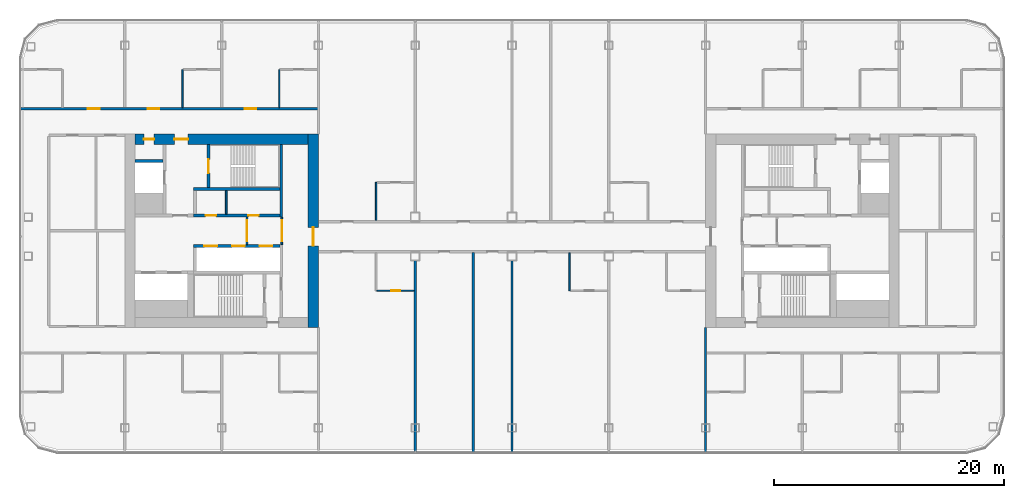
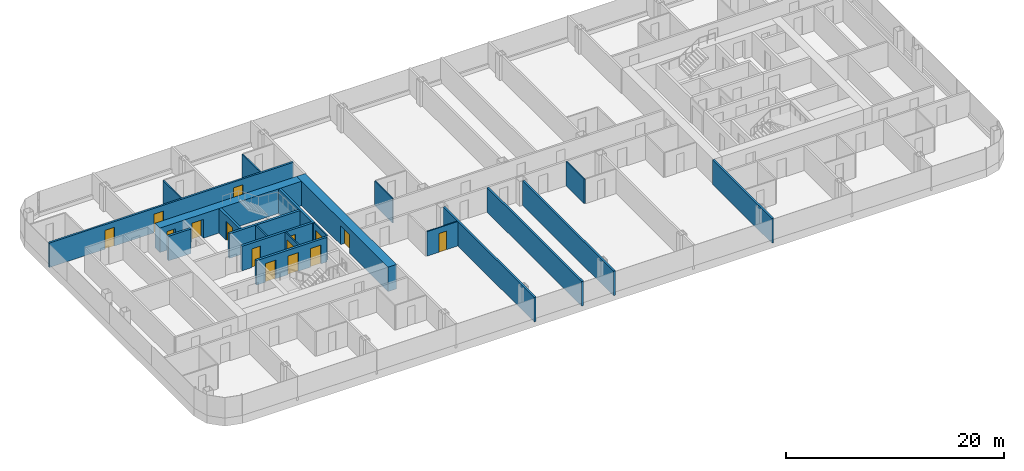
# One storey, part 13 of 26: 21 walls, 15 doors, 15 openings.
"""IFC4 building model written with IfcOpenShell, lengths in metres."""

from ifc_helpers import new_model, si_unit, direction, frame, frame_2d, origin, place, context, subcontext, project, spatial, rectangle, extrude, material, layer, layer_set, type_object, element, fill, save


model = new_model("IFC4")

# Units and contexts
model_context = context("Model", 3, precision=1e-05, world=origin(), true_north=direction((0.0, 1.0)))
body_context = subcontext(model_context, "Body", "Model", "MODEL_VIEW")
ifc_project = project(units=[si_unit("LENGTHUNIT", "METRE"), si_unit("AREAUNIT", "SQUARE_METRE"), si_unit("VOLUMEUNIT", "CUBIC_METRE"), si_unit("PLANEANGLEUNIT", "RADIAN"), si_unit("MASSUNIT", "GRAM", prefix="KILO")], contexts=[model_context])

# Site, building, storey
site_placement = place(None, origin())
site = spatial("IfcSite", under=ifc_project, at=site_placement, CompositionType="ELEMENT")
building_placement = place(site_placement, origin())
building = spatial("IfcBuilding", under=site, at=building_placement, Name="Hakoniwa Tower and Hamabe Station Hall", CompositionType="ELEMENT")
storey_placement = place(building_placement, frame((0.0, 0.0, 131.0)))
storey = spatial("IfcBuildingStorey", under=building, at=storey_placement, Name="L36", CompositionType="ELEMENT", Elevation=131.0)

# Wall, opening, door
ifc_material_1 = material(Name="Gypsum board partition", Category="gypsum")
ifc_layer_1 = layer(ifc_material_1, 0.125)
ifc_layer_set_1 = layer_set([ifc_layer_1], Name="Bathroom Partition 125")
wall_type_1 = type_object("IfcWallType", Name="Bathroom Partition 125", PredefinedType="PARTITIONING", material=ifc_layer_set_1)
wall_1_placement = place(storey_placement, frame((-11.737548828125, -5.199951171875, 0.0), z_axis=(0.0, 0.0, 1.0), x_axis=(1.0, 0.0, 0.0)))
wall_1 = element("IfcWall", 1, at=wall_1_placement, inside=storey, type_object=wall_type_1, Name="GW-L36-011", PredefinedType="PARTITIONING", context=body_context, shape_type="SweptSolid", body=[
    extrude(rectangle(XDim=3.237548828125, YDim=0.125, at=frame_2d((1.61865234375, 0.0))), origin(), (0.0, 0.0, 1.0), 2.75),
])
opening_1_placement = place(wall_1_placement, frame((1.237548828125, 0.0, 0.0)))
opening_1 = element("IfcOpeningElement", 2, at=opening_1_placement, cuts=wall_1, Name="Opening GD-G3A0-17", PredefinedType="OPENING", context=body_context, shape_type="SweptSolid", body=[
    extrude(rectangle(XDim=0.800048828125, YDim=2.10009765625, at=frame_2d((0.39990234375, 1.050048828125))), frame((0.0, 0.072509765625, 0.0), z_axis=(0.0, -1.0, 0.0), x_axis=(1.0, 0.0, 0.0)), (0.0, 0.0, 1.0), 0.14501953125),
])
ifc_material_2 = material(Name="Timber door leaf", Category="wood")
door_type_1 = type_object("IfcDoorType", Name="Bathroom Door 800", OperationType="SINGLE_SWING_LEFT", PredefinedType="DOOR", material=ifc_material_2)
door_1_placement = place(opening_1_placement, origin())
door_1 = element("IfcDoor", 3, at=door_1_placement, inside=storey, type_object=door_type_1, Name="Door GD-G3A0-17", OperationType="SINGLE_SWING_RIGHT", OverallHeight=2.10009765625, OverallWidth=0.800048828125, PredefinedType="DOOR", context=body_context, shape_type="SweptSolid", body=[
    extrude(rectangle(XDim=0.800048828125, YDim=2.10009765625, at=frame_2d((0.39990234375, 1.050048828125))), frame((0.0, 0.02490234375, 0.0), z_axis=(0.0, -1.0, 0.0), x_axis=(1.0, 0.0, 0.0)), (0.0, 0.0, 1.0), 0.050048828125),
])
fill(opening_1, door_1)

# Walls
for number, where, z_axis, x_axis, name in (
    (4, (-28.60009765625, 10.699951171875, 0.0), (0.0, 0.0, 1.0), (0.0, 1.0, 0.0), "GW-L36-038"),
    (5, (-20.199951171875, 10.699951171875, 0.0), (0.0, 0.0, 1.0), (0.0, 1.0, 0.0), "GW-L36-042"),
    (6, (-11.800048828125, 0.89990234375, 0.0), (0.0, 0.0, 1.0), (0.0, 1.0, 0.0), "GW-L36-046"),
    (7, (5.0, -5.199951171875, 0.0), (0.0, 0.0, 1.0), (0.0, 1.0, 0.0), "GW-L36-053"),
):
    element("IfcWall", number, at=place(storey_placement, frame(where, z_axis=z_axis, x_axis=x_axis)), inside=storey, type_object=wall_type_1, Name=name, PredefinedType="PARTITIONING", context=body_context, shape_type="SweptSolid", body=[
        extrude(rectangle(XDim=3.300048828125, YDim=0.125, at=frame_2d((1.64990234375, 0.0))), origin(), (0.0, 0.0, 1.0), 2.75),
    ])

# Wall, opening, door
ifc_material_3 = material(Name="Gypsum board partition")
ifc_layer_2 = layer(ifc_material_3, 0.14990234375)
ifc_layer_set_2 = layer_set([ifc_layer_2], Name="CORE PARTITION 150 EI 60")
wall_type_2 = type_object("IfcWallType", Name="CORE PARTITION 150 EI 60", PredefinedType="PARTITIONING", material=ifc_layer_set_2)
wall_2_placement = place(storey_placement, frame((-19.97509765625, -1.199951171875, 0.0), z_axis=(0.0, 0.0, 1.0), x_axis=(0.0, 1.0, 0.0)))
wall_2 = element("IfcWall", 8, at=wall_2_placement, inside=storey, type_object=wall_type_2, Name="Core partition PL0 west", PredefinedType="PARTITIONING", context=body_context, shape_type="SweptSolid", body=[
    extrude(rectangle(XDim=2.39990234375, YDim=0.14990234375, at=frame_2d((1.199951171875, 0.0))), origin(), (0.0, 0.0, 1.0), 2.75),
])
opening_2_placement = place(wall_2_placement, frame((0.300048828125, 0.0, 0.0)))
opening_2 = element("IfcOpeningElement", 9, at=opening_2_placement, cuts=wall_2, Name="Opening CD-W-LP0-18", PredefinedType="OPENING", context=body_context, shape_type="SweptSolid", body=[
    extrude(rectangle(XDim=1.800048828125, YDim=2.10009765625, at=frame_2d((0.89990234375, 1.050048828125))), frame((0.0, 0.0849609375, 0.0), z_axis=(0.0, -1.0, 0.0), x_axis=(1.0, 0.0, 0.0)), (0.0, 0.0, 1.0), 0.169921875),
])
ifc_material_4 = material(Name="Steel fire door", Category="steel")
door_type_2 = type_object("IfcDoorType", Name="CORE DOOR 1800 FD60", OperationType="DOUBLE_DOOR_SINGLE_SWING", PredefinedType="DOOR", material=ifc_material_4)
door_2_placement = place(opening_2_placement, origin())
door_2 = element("IfcDoor", 10, at=door_2_placement, inside=storey, type_object=door_type_2, Name="Lift lobby partition door", OperationType="DOUBLE_DOOR_SINGLE_SWING", OverallHeight=2.10009765625, OverallWidth=1.800048828125, PredefinedType="DOOR", context=body_context, shape_type="SweptSolid", body=[
    extrude(rectangle(XDim=1.800048828125, YDim=2.10009765625, at=frame_2d((0.89990234375, 1.050048828125))), frame((0.0, 0.02490234375, 0.0), z_axis=(0.0, -1.0, 0.0), x_axis=(1.0, 0.0, 0.0)), (0.0, 0.0, 1.0), 0.050048828125),
])
fill(opening_2, door_2)

wall_3_placement = place(storey_placement, frame((-23.0, -1.199951171875, 0.0), z_axis=(0.0, 0.0, 1.0), x_axis=(0.0, 1.0, 0.0)))
wall_3 = element("IfcWall", 11, at=wall_3_placement, inside=storey, type_object=wall_type_2, Name="Core partition PL1 west", PredefinedType="PARTITIONING", context=body_context, shape_type="SweptSolid", body=[
    extrude(rectangle(XDim=2.39990234375, YDim=0.14990234375, at=frame_2d((1.199951171875, 0.0))), origin(), (0.0, 0.0, 1.0), 2.75),
])
opening_3_placement = place(wall_3_placement, frame((0.300048828125, 0.0, 0.0)))
opening_3 = element("IfcOpeningElement", 12, at=opening_3_placement, cuts=wall_3, Name="Opening CD-W-LP1-18", PredefinedType="OPENING", context=body_context, shape_type="SweptSolid", body=[
    extrude(rectangle(XDim=1.800048828125, YDim=2.10009765625, at=frame_2d((0.89990234375, 1.050048828125))), frame((0.0, 0.0849609375, 0.0), z_axis=(0.0, -1.0, 0.0), x_axis=(1.0, 0.0, 0.0)), (0.0, 0.0, 1.0), 0.169921875),
])
door_3_placement = place(opening_3_placement, origin())
door_3 = element("IfcDoor", 13, at=door_3_placement, inside=storey, type_object=door_type_2, Name="Lift lobby partition door", OperationType="DOUBLE_DOOR_SINGLE_SWING", OverallHeight=2.10009765625, OverallWidth=1.800048828125, PredefinedType="DOOR", context=body_context, shape_type="SweptSolid", body=[
    extrude(rectangle(XDim=1.800048828125, YDim=2.10009765625, at=frame_2d((0.89990234375, 1.050048828125))), frame((0.0, 0.02490234375, 0.0), z_axis=(0.0, -1.0, 0.0), x_axis=(1.0, 0.0, 0.0)), (0.0, 0.0, 1.0), 0.050048828125),
])
fill(opening_3, door_3)

# Wall
wall_4_placement = place(storey_placement, frame((-24.800048828125, 1.449951171875, 0.0), z_axis=(0.0, 0.0, 1.0), x_axis=(0.0, 1.0, 0.0)))
element("IfcWall", 14, at=wall_4_placement, inside=storey, type_object=wall_type_2, Name="Core partition PFLR0 west", PredefinedType="PARTITIONING", context=body_context, shape_type="SweptSolid", body=[
    extrude(rectangle(XDim=2.050048828125, YDim=0.14990234375, at=frame_2d((1.02490234375, 0.0))), origin(), (0.0, 0.0, 1.0), 2.75),
])

# Wall, opening, door
ifc_material_5 = material(Name="Concrete C66", Category="concrete")
ifc_layer_3 = layer(ifc_material_5, 0.89990234375)
ifc_layer_set_3 = layer_set([ifc_layer_3], Name="CORE WALL 900 C66")
wall_type_3 = type_object("IfcWallType", Name="CORE WALL 900 C66", PredefinedType="SHEAR", material=ifc_layer_set_3)
wall_5_placement = place(storey_placement, frame((-17.25, -8.39990234375, 0.0), z_axis=(0.0, 0.0, 1.0), x_axis=(0.0, 1.0, 0.0)))
wall_5 = element("IfcWall", 15, at=wall_5_placement, inside=storey, type_object=wall_type_3, Name="Core wall INNER west", PredefinedType="SHEAR", context=body_context, shape_type="SweptSolid", body=[
    extrude(rectangle(XDim=16.7998046875, YDim=0.89990234375, at=frame_2d((8.39990234375, 0.0))), origin(), (0.0, 0.0, 1.0), 2.75),
])
opening_4_placement = place(wall_5_placement, frame((7.10009765625, 0.0, 0.0)))
opening_4 = element("IfcOpeningElement", 16, at=opening_4_placement, cuts=wall_5, Name="Opening CD-W-IN1-16", PredefinedType="OPENING", context=body_context, shape_type="SweptSolid", body=[
    extrude(rectangle(XDim=1.60009765625, YDim=2.10009765625, at=frame_2d((0.800048828125, 1.050048828125))), frame((0.0, 0.4599609375, 0.0), z_axis=(0.0, -1.0, 0.0), x_axis=(1.0, 0.0, 0.0)), (0.0, 0.0, 1.0), 0.919921875),
])
ifc_material_6 = material(Name="Steel fire door", Category="steel")
door_type_3 = type_object("IfcDoorType", Name="CORE DOOR 1600 FD60", OperationType="DOUBLE_DOOR_SINGLE_SWING", PredefinedType="DOOR", material=ifc_material_6)
door_4_placement = place(opening_4_placement, origin())
door_4 = element("IfcDoor", 17, at=door_4_placement, inside=storey, type_object=door_type_3, Name="Lift lobby door", OperationType="DOUBLE_DOOR_SINGLE_SWING", OverallHeight=2.10009765625, OverallWidth=1.60009765625, PredefinedType="DOOR", context=body_context, shape_type="SweptSolid", body=[
    extrude(rectangle(XDim=1.60009765625, YDim=2.10009765625, at=frame_2d((0.800048828125, 1.050048828125))), frame((0.0, 0.02490234375, 0.0), z_axis=(0.0, -1.0, 0.0), x_axis=(1.0, 0.0, 0.0)), (0.0, 0.0, 1.0), 0.050048828125),
])
fill(opening_4, door_4)

# Wall, openings, doors
wall_6_placement = place(storey_placement, frame((-32.699951171875, 7.949951171875, 0.0), z_axis=(0.0, 0.0, 1.0), x_axis=(1.0, 0.0, 0.0)))
wall_6 = element("IfcWall", 18, at=wall_6_placement, inside=storey, type_object=wall_type_3, Name="Core wall NORTH west", PredefinedType="SHEAR", context=body_context, shape_type="SweptSolid", body=[
    extrude(rectangle(XDim=15.0, YDim=0.89990234375, at=frame_2d((7.5, 0.0))), origin(), (0.0, 0.0, 1.0), 2.75),
])
opening_5_placement = place(wall_6_placement, frame((3.39990234375, 0.0, 0.0)))
opening_5 = element("IfcOpeningElement", 19, at=opening_5_placement, cuts=wall_6, Name="Opening CD-W-FN1-12", PredefinedType="OPENING", context=body_context, shape_type="SweptSolid", body=[
    extrude(rectangle(XDim=1.199951171875, YDim=2.10009765625, at=frame_2d((0.60009765625, 1.050048828125))), frame((0.0, 0.4599609375, 0.0), z_axis=(0.0, -1.0, 0.0), x_axis=(1.0, 0.0, 0.0)), (0.0, 0.0, 1.0), 0.919921875),
])
opening_6_placement = place(wall_6_placement, frame((0.75, 0.0, 0.0)))
opening_6 = element("IfcOpeningElement", 20, at=opening_6_placement, cuts=wall_6, Name="Opening CD-W-FN2-9", PredefinedType="OPENING", context=body_context, shape_type="SweptSolid", body=[
    extrude(rectangle(XDim=0.89990234375, YDim=2.10009765625, at=frame_2d((0.449951171875, 1.050048828125))), frame((0.0, 0.4599609375, 0.0), z_axis=(0.0, -1.0, 0.0), x_axis=(1.0, 0.0, 0.0)), (0.0, 0.0, 1.0), 0.919921875),
])
ifc_material_7 = material(Name="Steel fire door", Category="steel")
door_type_4 = type_object("IfcDoorType", Name="CORE DOOR 1200 FD60", OperationType="DOUBLE_DOOR_SINGLE_SWING", PredefinedType="DOOR", material=ifc_material_7)
door_5_placement = place(opening_5_placement, origin())
door_5 = element("IfcDoor", 21, at=door_5_placement, inside=storey, type_object=door_type_4, Name="Stair vestibule door to the fire-fighting lobby", OperationType="DOUBLE_DOOR_SINGLE_SWING", OverallHeight=2.10009765625, OverallWidth=1.199951171875, PredefinedType="DOOR", context=body_context, shape_type="SweptSolid", body=[
    extrude(rectangle(XDim=1.199951171875, YDim=2.10009765625, at=frame_2d((0.60009765625, 1.050048828125))), frame((0.0, 0.02490234375, 0.0), z_axis=(0.0, -1.0, 0.0), x_axis=(1.0, 0.0, 0.0)), (0.0, 0.0, 1.0), 0.050048828125),
])
fill(opening_5, door_5)
ifc_material_8 = material(Name="Steel fire door", Category="steel")
door_type_5 = type_object("IfcDoorType", Name="CORE DOOR 900 FD30", OperationType="NOTDEFINED", PredefinedType="DOOR", material=ifc_material_8)
door_6_placement = place(opening_6_placement, origin())
door_6 = element("IfcDoor", 22, at=door_6_placement, inside=storey, type_object=door_type_5, Name="Riser access door", OperationType="SINGLE_SWING_LEFT", OverallHeight=2.10009765625, OverallWidth=0.89990234375, PredefinedType="DOOR", context=body_context, shape_type="SweptSolid", body=[
    extrude(rectangle(XDim=0.89990234375, YDim=2.10009765625, at=frame_2d((0.449951171875, 1.050048828125))), frame((0.0, 0.02490234375, 0.0), z_axis=(0.0, -1.0, 0.0), x_axis=(1.0, 0.0, 0.0)), (0.0, 0.0, 1.0), 0.050048828125),
])
fill(opening_6, door_6)

# Wall
ifc_material_9 = material(Name="Concrete C66", Category="concrete")
ifc_layer_4 = layer(ifc_material_9, 0.25)
ifc_layer_set_4 = layer_set([ifc_layer_4], Name="CORE WEB WALL 250 C66")
wall_type_4 = type_object("IfcWallType", Name="CORE WEB WALL 250 C66", PredefinedType="SHEAR", material=ifc_layer_set_4)
wall_7_placement = place(storey_placement, frame((-20.02490234375, 1.199951171875, 0.0), z_axis=(0.0, 0.0, 1.0), x_axis=(0.0, 1.0, 0.0)))
element("IfcWall", 23, at=wall_7_placement, inside=storey, type_object=wall_type_4, Name="Core wall W1N west", PredefinedType="SHEAR", context=body_context, shape_type="SweptSolid", body=[
    extrude(rectangle(XDim=6.300048828125, YDim=0.25, at=frame_2d((3.14990234375, 0.0))), origin(), (0.0, 0.0, 1.0), 2.75),
])

# Wall, openings, doors
wall_8_placement = place(storey_placement, frame((-27.64990234375, 1.324951171875, 0.0), z_axis=(0.0, 0.0, 1.0), x_axis=(1.0, 0.0, 0.0)))
wall_8 = element("IfcWall", 24, at=wall_8_placement, inside=storey, type_object=wall_type_4, Name="Core wall NF west", PredefinedType="SHEAR", context=body_context, shape_type="SweptSolid", body=[
    extrude(rectangle(XDim=7.5, YDim=0.25, at=frame_2d((3.75, 0.0))), origin(), (0.0, 0.0, 1.0), 2.75),
])
opening_7_placement = place(wall_8_placement, frame((4.762451171875, 0.0, 0.0)))
opening_7 = element("IfcOpeningElement", 25, at=opening_7_placement, cuts=wall_8, Name="Opening CD-W-FRLR0-9", PredefinedType="OPENING", context=body_context, shape_type="SweptSolid", body=[
    extrude(rectangle(XDim=0.89990234375, YDim=2.10009765625, at=frame_2d((0.449951171875, 1.050048828125))), frame((0.0, 0.135009765625, 0.0), z_axis=(0.0, -1.0, 0.0), x_axis=(1.0, 0.0, 0.0)), (0.0, 0.0, 1.0), 0.27001953125),
])
opening_8_placement = place(wall_8_placement, frame((1.0625, 0.0, 0.0)))
opening_8 = element("IfcOpeningElement", 26, at=opening_8_placement, cuts=wall_8, Name="Opening CD-W-FRLR1-9", PredefinedType="OPENING", context=body_context, shape_type="SweptSolid", body=[
    extrude(rectangle(XDim=0.89990234375, YDim=2.10009765625, at=frame_2d((0.449951171875, 1.050048828125))), frame((0.0, 0.135009765625, 0.0), z_axis=(0.0, -1.0, 0.0), x_axis=(1.0, 0.0, 0.0)), (0.0, 0.0, 1.0), 0.27001953125),
])
door_7_placement = place(opening_7_placement, origin())
door_7 = element("IfcDoor", 27, at=door_7_placement, inside=storey, type_object=door_type_5, Name="Store room door", OperationType="SINGLE_SWING_LEFT", OverallHeight=2.10009765625, OverallWidth=0.89990234375, PredefinedType="DOOR", context=body_context, shape_type="SweptSolid", body=[
    extrude(rectangle(XDim=0.89990234375, YDim=2.10009765625, at=frame_2d((0.449951171875, 1.050048828125))), frame((0.0, 0.02490234375, 0.0), z_axis=(0.0, -1.0, 0.0), x_axis=(1.0, 0.0, 0.0)), (0.0, 0.0, 1.0), 0.050048828125),
])
fill(opening_7, door_7)
door_8_placement = place(opening_8_placement, origin())
door_8 = element("IfcDoor", 28, at=door_8_placement, inside=storey, type_object=door_type_5, Name="Store room door", OperationType="SINGLE_SWING_RIGHT", OverallHeight=2.10009765625, OverallWidth=0.89990234375, PredefinedType="DOOR", context=body_context, shape_type="SweptSolid", body=[
    extrude(rectangle(XDim=0.89990234375, YDim=2.10009765625, at=frame_2d((0.449951171875, 1.050048828125))), frame((0.0, 0.02490234375, 0.0), z_axis=(0.0, -1.0, 0.0), x_axis=(1.0, 0.0, 0.0)), (0.0, 0.0, 1.0), 0.050048828125),
])
fill(opening_8, door_8)

# Wall
wall_9_placement = place(storey_placement, frame((-27.64990234375, 3.625, 0.0), z_axis=(0.0, 0.0, 1.0), x_axis=(1.0, 0.0, 0.0)))
element("IfcWall", 29, at=wall_9_placement, inside=storey, type_object=wall_type_4, Name="Core wall NR west", PredefinedType="SHEAR", context=body_context, shape_type="SweptSolid", body=[
    extrude(rectangle(XDim=7.5, YDim=0.25, at=frame_2d((3.75, 0.0))), origin(), (0.0, 0.0, 1.0), 2.75),
])

# Wall, opening, door
wall_10_placement = place(storey_placement, frame((-26.324951171875, 3.75, 0.0), z_axis=(0.0, 0.0, 1.0), x_axis=(0.0, 1.0, 0.0)))
wall_10 = element("IfcWall", 30, at=wall_10_placement, inside=storey, type_object=wall_type_4, Name="Core wall NSE west", PredefinedType="SHEAR", context=body_context, shape_type="SweptSolid", body=[
    extrude(rectangle(XDim=3.75, YDim=0.25, at=frame_2d((1.875, 0.0))), origin(), (0.0, 0.0, 1.0), 2.75),
])
opening_9_placement = place(wall_10_placement, frame((1.25, 0.0, 0.0)))
opening_9 = element("IfcOpeningElement", 31, at=opening_9_placement, cuts=wall_10, Name="Opening CD-W-SN-12", PredefinedType="OPENING", context=body_context, shape_type="SweptSolid", body=[
    extrude(rectangle(XDim=1.199951171875, YDim=2.10009765625, at=frame_2d((0.60009765625, 1.050048828125))), frame((0.0, 0.135009765625, 0.0), z_axis=(0.0, -1.0, 0.0), x_axis=(1.0, 0.0, 0.0)), (0.0, 0.0, 1.0), 0.27001953125),
])
door_9_placement = place(opening_9_placement, origin())
door_9 = element("IfcDoor", 32, at=door_9_placement, inside=storey, type_object=door_type_4, Name="Escape stair door", OperationType="DOUBLE_DOOR_SINGLE_SWING", OverallHeight=2.10009765625, OverallWidth=1.199951171875, PredefinedType="DOOR", context=body_context, shape_type="SweptSolid", body=[
    extrude(rectangle(XDim=1.199951171875, YDim=2.10009765625, at=frame_2d((0.60009765625, 1.050048828125))), frame((0.0, 0.02490234375, 0.0), z_axis=(0.0, -1.0, 0.0), x_axis=(1.0, 0.0, 0.0)), (0.0, 0.0, 1.0), 0.050048828125),
])
fill(opening_9, door_9)

# Wall
wall_11_placement = place(storey_placement, frame((-32.699951171875, 6.074951171875, 0.0), z_axis=(0.0, 0.0, 1.0), x_axis=(1.0, 0.0, 0.0)))
element("IfcWall", 33, at=wall_11_placement, inside=storey, type_object=wall_type_4, Name="Core wall C2 west", PredefinedType="SHEAR", context=body_context, shape_type="SweptSolid", body=[
    extrude(rectangle(XDim=2.39990234375, YDim=0.25, at=frame_2d((1.199951171875, 0.0))), origin(), (0.0, 0.0, 1.0), 2.75),
])

# Wall, openings, doors
wall_12_placement = place(storey_placement, frame((-27.64990234375, -1.324951171875, 0.0), z_axis=(0.0, 0.0, 1.0), x_axis=(1.0, 0.0, 0.0)))
wall_12 = element("IfcWall", 34, at=wall_12_placement, inside=storey, type_object=wall_type_4, Name="Core wall SF west", PredefinedType="SHEAR", context=body_context, shape_type="SweptSolid", body=[
    extrude(rectangle(XDim=7.5, YDim=0.25, at=frame_2d((3.75, 0.0))), origin(), (0.0, 0.0, 1.0), 2.75),
])
opening_10_placement = place(wall_12_placement, frame((5.75, 0.0, 0.0)))
opening_10 = element("IfcOpeningElement", 35, at=opening_10_placement, cuts=wall_12, Name="Opening LD-HR1", PredefinedType="OPENING", context=body_context, shape_type="SweptSolid", body=[
    extrude(rectangle(XDim=1.10009765625, YDim=2.10009765625, at=frame_2d((0.550048828125, 1.050048828125))), frame((0.0, 0.135009765625, 0.0), z_axis=(0.0, -1.0, 0.0), x_axis=(1.0, 0.0, 0.0)), (0.0, 0.0, 1.0), 0.27001953125),
])
opening_11_placement = place(wall_12_placement, frame((3.35009765625, 0.0, 0.0)))
opening_11 = element("IfcOpeningElement", 36, at=opening_11_placement, cuts=wall_12, Name="Opening LD-HR2", PredefinedType="OPENING", context=body_context, shape_type="SweptSolid", body=[
    extrude(rectangle(XDim=1.10009765625, YDim=2.10009765625, at=frame_2d((0.550048828125, 1.050048828125))), frame((0.0, 0.135009765625, 0.0), z_axis=(0.0, -1.0, 0.0), x_axis=(1.0, 0.0, 0.0)), (0.0, 0.0, 1.0), 0.27001953125),
])
opening_12_placement = place(wall_12_placement, frame((0.949951171875, 0.0, 0.0)))
opening_12 = element("IfcOpeningElement", 37, at=opening_12_placement, cuts=wall_12, Name="Opening LD-HR3", PredefinedType="OPENING", context=body_context, shape_type="SweptSolid", body=[
    extrude(rectangle(XDim=1.10009765625, YDim=2.10009765625, at=frame_2d((0.550048828125, 1.050048828125))), frame((0.0, 0.135009765625, 0.0), z_axis=(0.0, -1.0, 0.0), x_axis=(1.0, 0.0, 0.0)), (0.0, 0.0, 1.0), 0.27001953125),
])
ifc_material_10 = material(Name="Stainless steel SUS304", Category="steel")
door_type_6 = type_object("IfcDoorType", Name="LIFT LANDING DOOR 1100 FD60", OperationType="DOUBLE_DOOR_SLIDING", PredefinedType="DOOR", material=ifc_material_10)
door_10_placement = place(opening_10_placement, origin())
door_10 = element("IfcDoor", 38, at=door_10_placement, inside=storey, type_object=door_type_6, Name="Lift landing door HR1 L36", OperationType="DOUBLE_DOOR_SLIDING", OverallHeight=2.10009765625, OverallWidth=1.10009765625, PredefinedType="DOOR", context=body_context, shape_type="SweptSolid", body=[
    extrude(rectangle(XDim=1.10009765625, YDim=2.10009765625, at=frame_2d((0.550048828125, 1.050048828125))), frame((0.0, 0.02490234375, 0.0), z_axis=(0.0, -1.0, 0.0), x_axis=(1.0, 0.0, 0.0)), (0.0, 0.0, 1.0), 0.050048828125),
])
fill(opening_10, door_10)
door_11_placement = place(opening_11_placement, origin())
door_11 = element("IfcDoor", 39, at=door_11_placement, inside=storey, type_object=door_type_6, Name="Lift landing door HR2 L36", OperationType="DOUBLE_DOOR_SLIDING", OverallHeight=2.10009765625, OverallWidth=1.10009765625, PredefinedType="DOOR", context=body_context, shape_type="SweptSolid", body=[
    extrude(rectangle(XDim=1.10009765625, YDim=2.10009765625, at=frame_2d((0.550048828125, 1.050048828125))), frame((0.0, 0.02490234375, 0.0), z_axis=(0.0, -1.0, 0.0), x_axis=(1.0, 0.0, 0.0)), (0.0, 0.0, 1.0), 0.050048828125),
])
fill(opening_11, door_11)
door_12_placement = place(opening_12_placement, origin())
door_12 = element("IfcDoor", 40, at=door_12_placement, inside=storey, type_object=door_type_6, Name="Lift landing door HR3 L36", OperationType="DOUBLE_DOOR_SLIDING", OverallHeight=2.10009765625, OverallWidth=1.10009765625, PredefinedType="DOOR", context=body_context, shape_type="SweptSolid", body=[
    extrude(rectangle(XDim=1.10009765625, YDim=2.10009765625, at=frame_2d((0.550048828125, 1.050048828125))), frame((0.0, 0.02490234375, 0.0), z_axis=(0.0, -1.0, 0.0), x_axis=(1.0, 0.0, 0.0)), (0.0, 0.0, 1.0), 0.050048828125),
])
fill(opening_12, door_12)

ifc_material_11 = material(Name="Fire-rated gypsum board partition", Category="gypsum")
ifc_layer_5 = layer(ifc_material_11, 0.199951171875)
ifc_layer_set_5 = layer_set([ifc_layer_5], Name="Corridor Wall 200")
wall_type_5 = type_object("IfcWallType", Name="Corridor Wall 200", PredefinedType="PARTITIONING", material=ifc_layer_set_5)
wall_13_placement = place(storey_placement, frame((-42.699951171875, 10.60009765625, 0.0), z_axis=(0.0, 0.0, 1.0), x_axis=(1.0, 0.0, 0.0)))
wall_13 = element("IfcWall", 41, at=wall_13_placement, inside=storey, type_object=wall_type_5, Name="GW-L36-022", PredefinedType="PARTITIONING", context=body_context, shape_type="SweptSolid", body=[
    extrude(rectangle(XDim=25.89990234375, YDim=0.199951171875, at=frame_2d((12.949951171875, 0.0))), origin(), (0.0, 0.0, 1.0), 2.75),
])
opening_13_placement = place(wall_13_placement, frame((5.89990234375, 0.0, 0.0)))
opening_13 = element("IfcOpeningElement", 42, at=opening_13_placement, cuts=wall_13, Name="Opening GD-G3A0-36", PredefinedType="OPENING", context=body_context, shape_type="SweptSolid", body=[
    extrude(rectangle(XDim=1.0, YDim=2.10009765625, at=frame_2d((0.5, 1.050048828125))), frame((0.0, 0.10986328125, 0.0), z_axis=(0.0, -1.0, 0.0), x_axis=(1.0, 0.0, 0.0)), (0.0, 0.0, 1.0), 0.219970703125),
])
opening_14_placement = place(wall_13_placement, frame((11.10009765625, 0.0, 0.0)))
opening_14 = element("IfcOpeningElement", 43, at=opening_14_placement, cuts=wall_13, Name="Opening GD-G3A0-37", PredefinedType="OPENING", context=body_context, shape_type="SweptSolid", body=[
    extrude(rectangle(XDim=1.0, YDim=2.10009765625, at=frame_2d((0.5, 1.050048828125))), frame((0.0, 0.10986328125, 0.0), z_axis=(0.0, -1.0, 0.0), x_axis=(1.0, 0.0, 0.0)), (0.0, 0.0, 1.0), 0.219970703125),
])
opening_15_placement = place(wall_13_placement, frame((19.5, 0.0, 0.0)))
opening_15 = element("IfcOpeningElement", 44, at=opening_15_placement, cuts=wall_13, Name="Opening GD-G3A0-38", PredefinedType="OPENING", context=body_context, shape_type="SweptSolid", body=[
    extrude(rectangle(XDim=1.0, YDim=2.10009765625, at=frame_2d((0.5, 1.050048828125))), frame((0.0, 0.10986328125, 0.0), z_axis=(0.0, -1.0, 0.0), x_axis=(1.0, 0.0, 0.0)), (0.0, 0.0, 1.0), 0.219970703125),
])
ifc_material_12 = material(Name="Timber door leaf", Category="wood")
door_type_7 = type_object("IfcDoorType", Name="Guest Entrance Door 1000", OperationType="SINGLE_SWING_LEFT", PredefinedType="DOOR", material=ifc_material_12)
door_13_placement = place(opening_13_placement, origin())
door_13 = element("IfcDoor", 45, at=door_13_placement, inside=storey, type_object=door_type_7, Name="Door GD-G3A0-36", OperationType="SINGLE_SWING_LEFT", OverallHeight=2.10009765625, OverallWidth=1.0, PredefinedType="DOOR", context=body_context, shape_type="SweptSolid", body=[
    extrude(rectangle(XDim=1.0, YDim=2.10009765625, at=frame_2d((0.5, 1.050048828125))), frame((0.0, 0.02490234375, 0.0), z_axis=(0.0, -1.0, 0.0), x_axis=(1.0, 0.0, 0.0)), (0.0, 0.0, 1.0), 0.050048828125),
])
fill(opening_13, door_13)
door_14_placement = place(opening_14_placement, origin())
door_14 = element("IfcDoor", 46, at=door_14_placement, inside=storey, type_object=door_type_7, Name="Door GD-G3A0-37", OperationType="SINGLE_SWING_RIGHT", OverallHeight=2.10009765625, OverallWidth=1.0, PredefinedType="DOOR", context=body_context, shape_type="SweptSolid", body=[
    extrude(rectangle(XDim=1.0, YDim=2.10009765625, at=frame_2d((0.5, 1.050048828125))), frame((0.0, 0.02490234375, 0.0), z_axis=(0.0, -1.0, 0.0), x_axis=(1.0, 0.0, 0.0)), (0.0, 0.0, 1.0), 0.050048828125),
])
fill(opening_14, door_14)
door_15_placement = place(opening_15_placement, origin())
door_15 = element("IfcDoor", 47, at=door_15_placement, inside=storey, type_object=door_type_7, Name="Door GD-G3A0-38", OperationType="SINGLE_SWING_LEFT", OverallHeight=2.10009765625, OverallWidth=1.0, PredefinedType="DOOR", context=body_context, shape_type="SweptSolid", body=[
    extrude(rectangle(XDim=1.0, YDim=2.10009765625, at=frame_2d((0.5, 1.050048828125))), frame((0.0, 0.02490234375, 0.0), z_axis=(0.0, -1.0, 0.0), x_axis=(1.0, 0.0, 0.0)), (0.0, 0.0, 1.0), 0.050048828125),
])
fill(opening_15, door_15)

# Walls
ifc_material_13 = material(Name="Fire-rated gypsum board partition", Category="gypsum")
ifc_layer_6 = layer(ifc_material_13, 0.199951171875)
ifc_layer_set_6 = layer_set([ifc_layer_6], Name="Party Wall 200")
wall_type_6 = type_object("IfcWallType", Name="Party Wall 200", PredefinedType="PARTITIONING", material=ifc_layer_set_6)
wall_14_placement = place(storey_placement, frame((-8.39990234375, -19.300048828125, 0.0), z_axis=(0.0, 0.0, 1.0), x_axis=(0.0, 1.0, 0.0)))
element("IfcWall", 48, at=wall_14_placement, inside=storey, type_object=wall_type_6, Name="GW-L36-047", PredefinedType="PARTITIONING", context=body_context, shape_type="SweptSolid", body=[
    extrude(rectangle(XDim=16.7099609375, YDim=0.199951171875, at=frame_2d((8.35498046875, 0.0))), origin(), (0.0, 0.0, 1.0), 2.75),
])
wall_15_placement = place(storey_placement, frame((-3.360107421875, -19.300048828125, 0.0), z_axis=(0.0, 0.0, 1.0), x_axis=(0.0, 1.0, 0.0)))
element("IfcWall", 49, at=wall_15_placement, inside=storey, type_object=wall_type_6, Name="GW-L36-049", PredefinedType="PARTITIONING", context=body_context, shape_type="SweptSolid", body=[
    extrude(rectangle(XDim=17.400146484375, YDim=0.199951171875, at=frame_2d((8.7001953125, 0.0))), origin(), (0.0, 0.0, 1.0), 2.75),
])
wall_16_placement = place(storey_placement, frame((0.0, -19.300048828125, 0.0), z_axis=(0.0, 0.0, 1.0), x_axis=(0.0, 1.0, 0.0)))
element("IfcWall", 50, at=wall_16_placement, inside=storey, type_object=wall_type_6, Name="GW-L36-050", PredefinedType="PARTITIONING", context=body_context, shape_type="SweptSolid", body=[
    extrude(rectangle(XDim=16.7099609375, YDim=0.199951171875, at=frame_2d((8.35498046875, 0.0))), origin(), (0.0, 0.0, 1.0), 2.75),
])
wall_17_placement = place(storey_placement, frame((16.800048828125, -19.300048828125, 0.0), z_axis=(0.0, 0.0, 1.0), x_axis=(0.0, 1.0, 0.0)))
element("IfcWall", 51, at=wall_17_placement, inside=storey, type_object=wall_type_6, Name="GW-L36-058", PredefinedType="PARTITIONING", context=body_context, shape_type="SweptSolid", body=[
    extrude(rectangle(XDim=10.91015625, YDim=0.199951171875, at=frame_2d((5.455078125, 0.0))), origin(), (0.0, 0.0, 1.0), 2.75),
])

save(model, "model.ifc")
